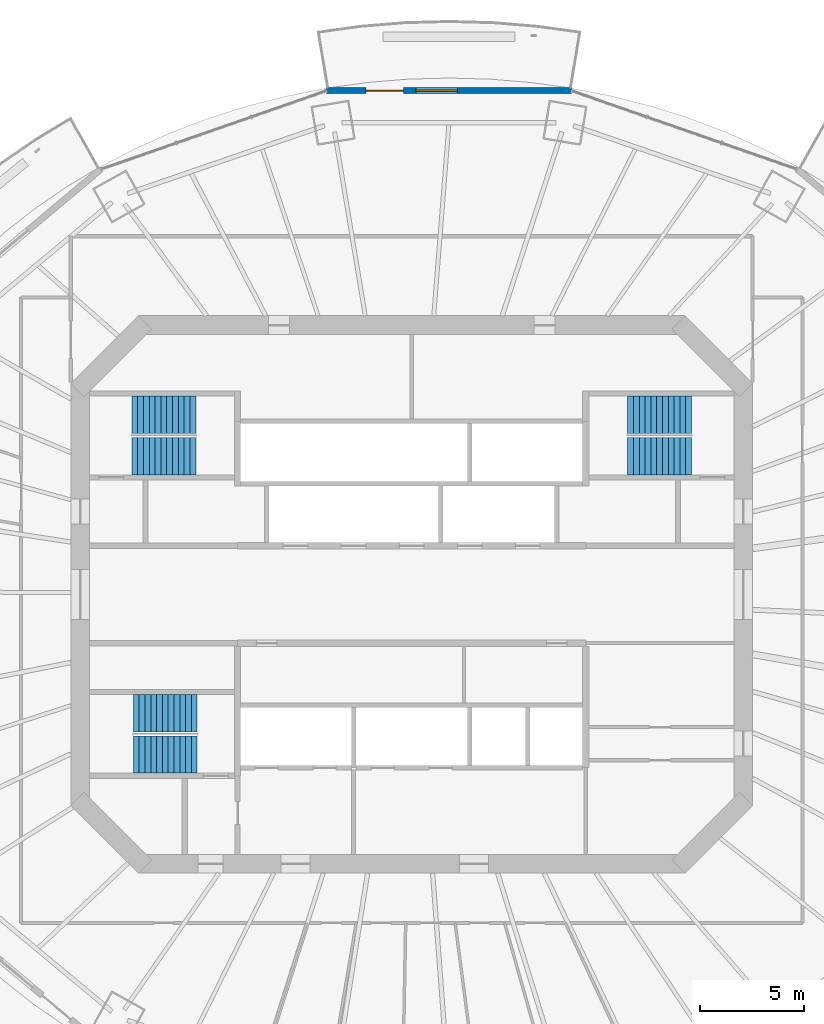
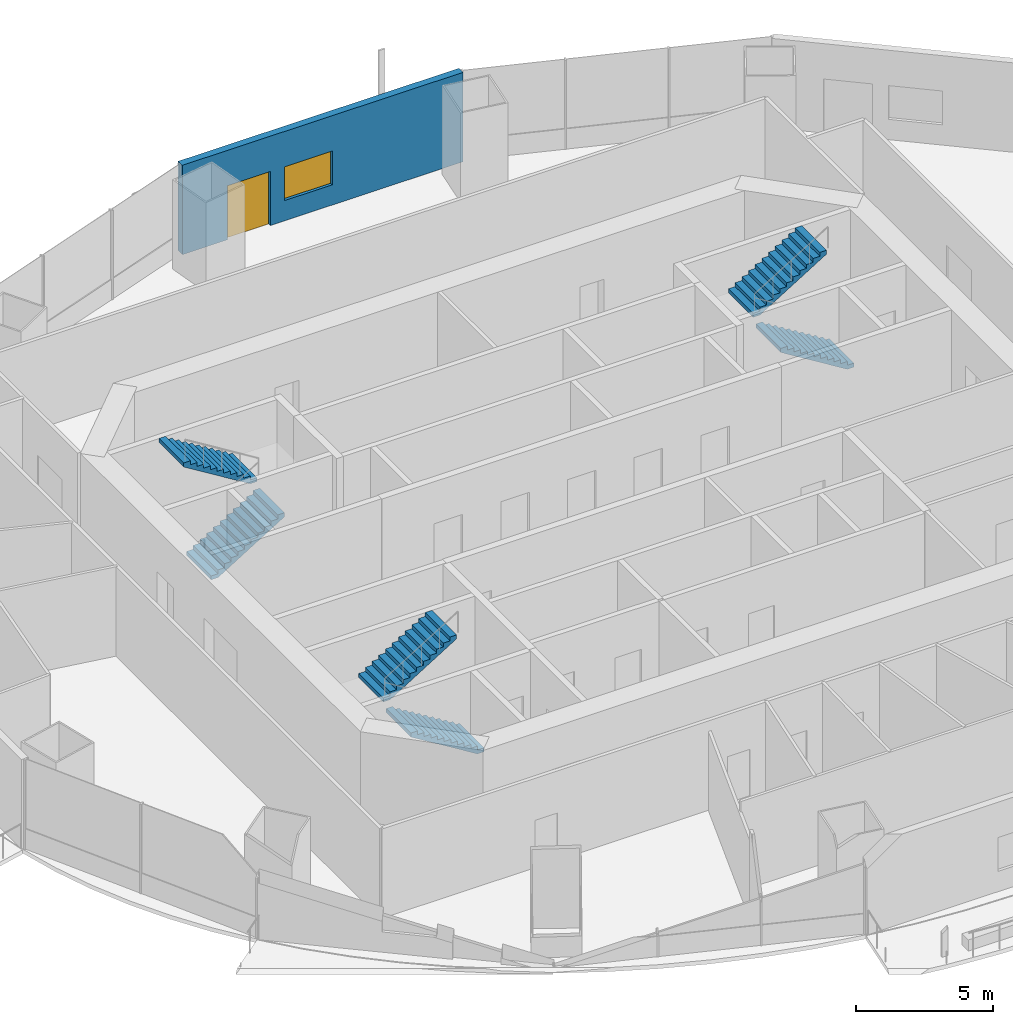
# One storey, part 13 of 19: 6 stair flights, 1 door, 1 wall, 1 window, 2 openings, 3 elements without a shape of their own.
"""IFC4 building model written with IfcOpenShell, lengths in metres."""

import ifcopenshell
import ifcopenshell.guid

model = None  # the IFC model being written
_history = None  # IfcOwnerHistory: only IFC2X3 demands one
_inside = {}  # id of a spatial element -> (the spatial element, [elements in it])
_under = {}  # id of a project, library or spatial element -> (it, [spatial elements below it])
_declared = {}  # id of a project -> (the project, [libraries it declares])
_typed = {}  # id of a type object -> (the type object, [elements of that type])
_made_of = {}  # id of a material, layer set ... -> (it, [elements and type objects made of it])


def new_model(schema):
    """Start an empty IFC model of exactly this schema.

    Asked for "IFC4X3", IfcOpenShell would pick the latest addendum, in which some entities
    have other attributes; the version numbers below select the first issue.
    IFC2X3 requires an IfcOwnerHistory on every rooted entity: one is made here for all.
    """
    global model, _history
    if schema == "IFC4X3":
        model = ifcopenshell.file(schema_version=(4, 3, 0, 0))
    else:
        model = ifcopenshell.file(schema=schema)
    _inside.clear()
    _under.clear()
    _declared.clear()
    _typed.clear()
    _made_of.clear()
    _history = None
    if model.schema == "IFC2X3":
        org = make("IfcOrganization", Name="unknown")
        user = make(
            "IfcPersonAndOrganization",
            ThePerson=make("IfcPerson", FamilyName="unknown"),
            TheOrganization=org,
        )
        app = make(
            "IfcApplication",
            ApplicationDeveloper=org,
            Version="unknown",
            ApplicationFullName="unknown",
            ApplicationIdentifier="unknown",
        )
        _history = make(
            "IfcOwnerHistory",
            OwningUser=user,
            OwningApplication=app,
            ChangeAction="ADDED",
            CreationDate=0,
        )
    return model


def make(cls, **values):
    """One entity of the class cls with the attributes given. An attribute that is None is left unset."""
    return model.create_entity(
        cls, **{name: value for name, value in values.items() if value is not None}
    )


def rooted(cls, **values):
    """An entity with a GlobalId (a new one), such as an element, a storey or a relation."""
    return make(cls, GlobalId=ifcopenshell.guid.new(), OwnerHistory=_history, **values)


def si_unit(unit_type, name, prefix=None):
    """IfcSIUnit, for example si_unit("LENGTHUNIT", "METRE", prefix="MILLI")."""
    return make("IfcSIUnit", UnitType=unit_type, Prefix=prefix, Name=name)


def assignment(units):
    """IfcUnitAssignment: the units of a project."""
    return None if units is None else make("IfcUnitAssignment", Units=units)


def point(xyz):
    """IfcCartesianPoint."""
    return None if xyz is None else make("IfcCartesianPoint", Coordinates=xyz)


def direction(xyz):
    """IfcDirection."""
    return None if xyz is None else make("IfcDirection", DirectionRatios=xyz)


def frame(location, z_axis=None, x_axis=None):
    """IfcAxis2Placement3D, a coordinate frame: its origin and axes. An axis left out is left unset."""
    return make(
        "IfcAxis2Placement3D",
        Location=point(location),
        Axis=direction(z_axis),
        RefDirection=direction(x_axis),
    )


def frame_2d(location, x_axis=None):
    """IfcAxis2Placement2D, a coordinate frame in the plane: its origin and x axis."""
    return make(
        "IfcAxis2Placement2D", Location=point(location), RefDirection=direction(x_axis)
    )


def origin():
    """The frame at (0, 0, 0) with its axes left unset."""
    return frame((0.0, 0.0, 0.0))


def place(relative_to, where):
    """IfcLocalPlacement: puts the frame where relative to a parent placement (None: the world)."""
    return make(
        "IfcLocalPlacement", PlacementRelTo=relative_to, RelativePlacement=where
    )


def context(
    kind, dimensions, precision=None, world=None, true_north=None, identifier=None
):
    """IfcGeometricRepresentationContext, for example the 3D "Model" context."""
    return make(
        "IfcGeometricRepresentationContext",
        ContextIdentifier=identifier,
        ContextType=kind,
        CoordinateSpaceDimension=dimensions,
        Precision=precision,
        WorldCoordinateSystem=world,
        TrueNorth=true_north,
    )


def subcontext(parent, identifier, kind, view, scale=None):
    """IfcGeometricRepresentationSubContext, for example "Body" below "Model"."""
    return make(
        "IfcGeometricRepresentationSubContext",
        ContextIdentifier=identifier,
        ContextType=kind,
        ParentContext=parent,
        TargetScale=scale,
        TargetView=view,
    )


def project(units=None, contexts=None):
    """IfcProject with its units and contexts."""
    return rooted(
        "IfcProject",
        Name="project",
        RepresentationContexts=contexts,
        UnitsInContext=assignment(units),
    )


def spatial(cls, under=None, at=None, **own):
    """A site, building, storey or space (cls), placed at a placement, below another one or the project."""
    s = rooted(cls, ObjectPlacement=at, **own)
    if under is not None:
        _under.setdefault(under.id(), (under, []))[1].append(s)
    return s


def polyline(points):
    """IfcPolyline through the points."""
    return make("IfcPolyline", Points=[point(p) for p in points])


def profile(cls, at=None, kind="AREA", **sizes):
    """A parametric profile (cls). Its sizes go by their IFC names, for example OverallWidth=200.0."""
    return make(cls, ProfileType=kind, Position=at, **sizes)


def rectangle(**sizes):
    """IfcRectangleProfileDef."""
    return profile("IfcRectangleProfileDef", **sizes)


def outline(outer, holes=None, kind="AREA"):
    """IfcArbitraryClosedProfileDef: a profile drawn as a closed curve; with holes, ...WithVoids."""
    if holes is None:
        return make("IfcArbitraryClosedProfileDef", ProfileType=kind, OuterCurve=outer)
    return make(
        "IfcArbitraryProfileDefWithVoids",
        ProfileType=kind,
        OuterCurve=outer,
        InnerCurves=holes,
    )


def extrude(swept, where, along, depth):
    """IfcExtrudedAreaSolid: the profile swept, set in the frame where, extruded along a direction by depth."""
    return make(
        "IfcExtrudedAreaSolid",
        SweptArea=swept,
        Position=where,
        ExtrudedDirection=direction(along),
        Depth=depth,
    )


def shape(context_of_items, identifier, shape_type, items):
    """IfcShapeRepresentation: the items that make up one representation, for example the "Body"."""
    return make(
        "IfcShapeRepresentation",
        ContextOfItems=context_of_items,
        RepresentationIdentifier=identifier,
        RepresentationType=shape_type,
        Items=items,
    )


def material(Name=None, Category=None):
    """IfcMaterial."""
    return make("IfcMaterial", Name=Name, Category=Category)


def layer(
    of_material, thickness, ventilated=None, Name=None, Category=None, Priority=None
):
    """IfcMaterialLayer: one layer of a wall or slab, of a material (None: an air gap)."""
    return make(
        "IfcMaterialLayer",
        Material=of_material,
        LayerThickness=thickness,
        IsVentilated=ventilated,
        Name=Name,
        Category=Category,
        Priority=Priority,
    )


def layer_set(layers, Name=None):
    """IfcMaterialLayerSet."""
    return make("IfcMaterialLayerSet", MaterialLayers=layers, LayerSetName=Name)


def made_of(thing, what):
    """Note that an element or type object is made of a material, layer set ...; save() writes the relation."""
    if what is not None:
        _made_of.setdefault(what.id(), (what, []))[1].append(thing)
    return thing


def type_object(cls, material=None, **own):
    """A type object (cls), such as IfcWallType, which elements share."""
    return made_of(rooted(cls, **own), material)


def element(
    cls,
    number,
    at=None,
    inside=None,
    cuts=None,
    type_object=None,
    material=None,
    context=None,
    identifier="Body",
    shape_type=None,
    held_by="IfcProductDefinitionShape",
    body=None,
    shapes=None,
    **own,
):
    """One element of the class cls, such as IfcWall. Its Tag is "e" and its number.

    at: its placement. inside: the storey or other place that contains it. cuts: it is an
    opening in that element (IfcRelVoidsElement). A single representation is given by context,
    identifier, shape_type and body (its items); several are given by shapes. held_by: the class
    of the entity that holds the representations. save() writes the other relations.
    """
    e = rooted(cls, Tag="e%d" % number, ObjectPlacement=at, **own)
    if body is not None:
        shapes = [shape(context, identifier, shape_type, body)]
    if shapes is not None:
        e.Representation = make(held_by, Representations=shapes)
    if inside is not None:
        _inside.setdefault(inside.id(), (inside, []))[1].append(e)
    if cuts is not None:
        rooted(
            "IfcRelVoidsElement", RelatingBuildingElement=cuts, RelatedOpeningElement=e
        )
    if type_object is not None:
        _typed.setdefault(type_object.id(), (type_object, []))[1].append(e)
    return made_of(e, material)


def fill(opening, filler):
    """IfcRelFillsElement: the door or window that sits in an opening."""
    return rooted(
        "IfcRelFillsElement",
        RelatingOpeningElement=opening,
        RelatedBuildingElement=filler,
    )


def aggregate(whole, parts):
    """IfcRelAggregates: a whole, such as a stair, and the parts it consists of."""
    return rooted("IfcRelAggregates", RelatingObject=whole, RelatedObjects=parts)


def save(model, path):
    """Write the relations noted so far, then the file.

    IfcRelAggregates (storeys below a building ...), IfcRelContainedInSpatialStructure (elements
    in a storey), IfcRelDefinesByType, IfcRelAssociatesMaterial and IfcRelDeclares: one each for
    every whole, place, type object, material and project.
    """
    for whole, parts in _under.values():
        aggregate(whole, parts)
    for where, things in _inside.values():
        rooted(
            "IfcRelContainedInSpatialStructure",
            RelatedElements=things,
            RelatingStructure=where,
        )
    for kind, things in _typed.values():
        rooted("IfcRelDefinesByType", RelatedObjects=things, RelatingType=kind)
    for what, things in _made_of.values():
        rooted("IfcRelAssociatesMaterial", RelatedObjects=things, RelatingMaterial=what)
    for by, libraries in _declared.values():
        rooted("IfcRelDeclares", RelatingContext=by, RelatedDefinitions=libraries)
    model.write(path)


model = new_model("IFC4")

# Units and contexts
model_context = context("Model", 3, precision=1e-05, world=origin(), true_north=direction((0.0, 1.0)))
body_context = subcontext(model_context, "Body", "Model", "MODEL_VIEW")
ifc_project = project(units=[si_unit("LENGTHUNIT", "METRE"), si_unit("AREAUNIT", "SQUARE_METRE"), si_unit("VOLUMEUNIT", "CUBIC_METRE"), si_unit("PLANEANGLEUNIT", "RADIAN"), si_unit("MASSUNIT", "GRAM", prefix="KILO")], contexts=[model_context])

# Site, building, storey
site_placement = place(None, origin())
site = spatial("IfcSite", under=ifc_project, at=site_placement, CompositionType="ELEMENT")
building_placement = place(site_placement, origin())
building = spatial("IfcBuilding", under=site, at=building_placement, Name="Marenthal Gate Tower", CompositionType="ELEMENT")
storey_placement = place(building_placement, frame((0.0, 0.0, 235.75)))
storey = spatial("IfcBuildingStorey", under=building, at=storey_placement, Name="L52", CompositionType="ELEMENT", Elevation=235.75)

# Wall, openings, door, window
ifc_material_1 = material(Name="Terracotta cladding on insulated concrete-block backing", Category="masonry")
ifc_layer = layer(ifc_material_1, 0.300048828125)
ifc_layer_set = layer_set([ifc_layer], Name="Terracotta facade wall 300")
wall_type = type_object("IfcWallType", Name="Terracotta facade wall 300", PredefinedType="SOLIDWALL", material=ifc_layer_set)
wall_placement = place(storey_placement, frame((7.700439453125, 24.31103515625, 0.0), z_axis=(0.0, 0.0, 1.0), x_axis=(-1.0, 0.0, 0.0)))
wall = element("IfcWall", 1, at=wall_placement, inside=storey, type_object=wall_type, Name="Terracotta facade wall L52 bay 4", PredefinedType="SOLIDWALL", context=body_context, shape_type="SweptSolid", body=[
    extrude(rectangle(XDim=11.801025390625, YDim=0.300048828125, at=frame_2d((5.900390625, 0.0))), origin(), (0.0, 0.0, 1.0), 3.969970703125),
])
opening_1_placement = place(wall_placement, frame((8.10107421875, 0.0, 0.0)))
opening_1 = element("IfcOpeningElement", 2, at=opening_1_placement, cuts=wall, Name="Opening BD-L52-04", PredefinedType="OPENING", context=body_context, shape_type="SweptSolid", body=[
    extrude(rectangle(XDim=1.800048828125, YDim=2.39990234375, at=frame_2d((0.89990234375, 1.199951171875))), frame((0.0, 0.16015625, 0.0), z_axis=(0.0, -1.0, 0.0), x_axis=(1.0, 0.0, 0.0)), (0.0, 0.0, 1.0), 0.320068359375),
])
opening_2_placement = place(wall_placement, frame((5.5009765625, 0.0, 0.89990234375)))
opening_2 = element("IfcOpeningElement", 3, at=opening_2_placement, cuts=wall, Name="Opening WN2-L52-04", PredefinedType="OPENING", context=body_context, shape_type="SweptSolid", body=[
    extrude(rectangle(XDim=2.0, YDim=1.5, at=frame_2d((1.0, 0.75))), frame((0.0, 0.16015625, 0.0), z_axis=(0.0, -1.0, 0.0), x_axis=(1.0, 0.0, 0.0)), (0.0, 0.0, 1.0), 0.320068359375),
])
ifc_material_2 = material(Name="Aluminium and glass", Category="aluminium")
door_type = type_object("IfcDoorType", Name="Balcony door 1800x2400", OperationType="DOUBLE_DOOR_SINGLE_SWING", PredefinedType="DOOR", material=ifc_material_2)
door_placement = place(opening_1_placement, origin())
door = element("IfcDoor", 4, at=door_placement, inside=storey, type_object=door_type, Name="Balcony door L52 bay 4", OperationType="SINGLE_SWING_LEFT", OverallHeight=2.39990234375, OverallWidth=1.800048828125, PredefinedType="DOOR", context=body_context, shape_type="SweptSolid", body=[
    extrude(rectangle(XDim=1.800048828125, YDim=2.39990234375, at=frame_2d((0.89990234375, 1.199951171875))), frame((0.0, 0.02490234375, 0.0), z_axis=(0.0, -1.0, 0.0), x_axis=(1.0, 0.0, 0.0)), (0.0, 0.0, 1.0), 0.050048828125),
])
fill(opening_1, door)
ifc_material_3 = material(Name="Aluminium and glass", Category="aluminium")
window_type = type_object("IfcWindowType", Name="Window 2000x1500", PartitioningType="DOUBLE_PANEL_VERTICAL", PredefinedType="WINDOW", material=ifc_material_3)
window_placement = place(opening_2_placement, origin())
window = element("IfcWindow", 5, at=window_placement, inside=storey, type_object=window_type, Name="Window L52 bay 4", OverallHeight=1.5, OverallWidth=2.0, PartitioningType="SINGLE_PANEL", PredefinedType="WINDOW", context=body_context, shape_type="SweptSolid", body=[
    extrude(rectangle(XDim=2.0, YDim=1.5, at=frame_2d((1.0, 0.75))), frame((0.0, 0.030029296875, 0.0), z_axis=(0.0, -1.0, 0.0), x_axis=(1.0, 0.0, 0.0)), (0.0, 0.0, 1.0), 0.06005859375),
])
fill(opening_2, window)

# Stair, stair flights
ifc_material_4 = material(Name="Concrete 40 MPa", Category="concrete")
stair_type = type_object("IfcStairType", Name="Exit stair 1800", PredefinedType="HALF_TURN_STAIR", material=ifc_material_4)
stair_1_placement = place(storey_placement, origin())
stair_1 = element("IfcStair", 6, at=stair_1_placement, inside=storey, type_object=stair_type, Name="Stair ST1", PredefinedType="HALF_TURN_STAIR")
ifc_material_5 = material(Name="Concrete 40 MPa", Category="concrete")
stair_flight_type = type_object("IfcStairFlightType", Name="Stair flight 1800", PredefinedType="STRAIGHT", material=ifc_material_5)
stair_flight_1_placement = place(storey_placement, frame((-13.5, 6.675048828125, 0.0), z_axis=(0.0, 0.0, 1.0), x_axis=(1.0, 0.0, 0.0)))
stair_flight_1 = element("IfcStairFlight", 7, at=stair_flight_1_placement, type_object=stair_flight_type, Name="ST1 flight 1", NumberOfRisers=12, NumberOfTreads=11, PredefinedType="STRAIGHT", RiserHeight=0.172916667, TreadLength=0.28, context=body_context, shape_type="SweptSolid", body=[
    extrude(outline(polyline([(0.0, 0.0), (0.0, 0.1728515625), (0.280029296875, 0.1728515625), (0.280029296875, 0.345947265625), (0.56005859375, 0.345947265625), (0.56005859375, 0.518798828125), (0.840087890625, 0.518798828125), (0.840087890625, 0.691650390625), (1.1201171875, 0.691650390625), (1.1201171875, 0.864501953125), (1.39990234375, 0.864501953125), (1.39990234375, 1.03759765625), (1.679931640625, 1.03759765625), (1.679931640625, 1.21044921875), (1.9599609375, 1.21044921875), (1.9599609375, 1.38330078125), (2.239990234375, 1.38330078125), (2.239990234375, 1.55615234375), (2.52001953125, 1.55615234375), (2.52001953125, 1.729248046875), (2.800048828125, 1.729248046875), (2.800048828125, 1.902099609375), (3.080078125, 1.902099609375), (3.080078125, 2.074951171875), (3.080078125, 1.725830078125), (0.285400390625, 0.0), (0.0, 0.0)])), frame((0.0, 0.89990234375, 0.0), z_axis=(0.0, -1.0, 0.0), x_axis=(1.0, 0.0, 0.0)), (0.0, 0.0, 1.0), 1.800048828125),
])
stair_flight_2_placement = place(storey_placement, frame((-10.419921875, 8.675048828125, 2.074951171875), z_axis=(0.0, 0.0, 1.0), x_axis=(-1.0, 0.0, 0.0)))
stair_flight_2 = element("IfcStairFlight", 8, at=stair_flight_2_placement, type_object=stair_flight_type, Name="ST1 flight 2", NumberOfRisers=12, NumberOfTreads=11, PredefinedType="STRAIGHT", RiserHeight=0.172916667, TreadLength=0.28, context=body_context, shape_type="SweptSolid", body=[
    extrude(outline(polyline([(0.0, 0.0), (0.0, 0.1728515625), (0.280029296875, 0.1728515625), (0.280029296875, 0.345947265625), (0.56005859375, 0.345947265625), (0.56005859375, 0.518798828125), (0.840087890625, 0.518798828125), (0.840087890625, 0.691650390625), (1.1201171875, 0.691650390625), (1.1201171875, 0.864501953125), (1.39990234375, 0.864501953125), (1.39990234375, 1.03759765625), (1.679931640625, 1.03759765625), (1.679931640625, 1.21044921875), (1.9599609375, 1.21044921875), (1.9599609375, 1.38330078125), (2.239990234375, 1.38330078125), (2.239990234375, 1.55615234375), (2.52001953125, 1.55615234375), (2.52001953125, 1.729248046875), (2.800048828125, 1.729248046875), (2.800048828125, 1.902099609375), (3.080078125, 1.902099609375), (3.080078125, 2.074951171875), (3.080078125, 1.725830078125), (0.285400390625, 0.0), (0.0, 0.0)])), frame((0.0, 0.89990234375, 0.0), z_axis=(0.0, -1.0, 0.0), x_axis=(1.0, 0.0, 0.0)), (0.0, 0.0, 1.0), 1.800048828125),
])
aggregate(stair_1, [stair_flight_1, stair_flight_2])

stair_2_placement = place(storey_placement, origin())
stair_2 = element("IfcStair", 9, at=stair_2_placement, inside=storey, type_object=stair_type, Name="Stair ST2", PredefinedType="HALF_TURN_STAIR")
stair_flight_3_placement = place(storey_placement, frame((-10.35009765625, -7.72509765625, 0.0), z_axis=(0.0, 0.0, 1.0), x_axis=(-1.0, 0.0, 0.0)))
stair_flight_3 = element("IfcStairFlight", 10, at=stair_flight_3_placement, type_object=stair_flight_type, Name="ST2 flight 1", NumberOfRisers=12, NumberOfTreads=11, PredefinedType="STRAIGHT", RiserHeight=0.172916667, TreadLength=0.28, context=body_context, shape_type="SweptSolid", body=[
    extrude(outline(polyline([(0.0, 0.0), (0.0, 0.1728515625), (0.280029296875, 0.1728515625), (0.280029296875, 0.345947265625), (0.56005859375, 0.345947265625), (0.56005859375, 0.518798828125), (0.840087890625, 0.518798828125), (0.840087890625, 0.691650390625), (1.1201171875, 0.691650390625), (1.1201171875, 0.864501953125), (1.39990234375, 0.864501953125), (1.39990234375, 1.03759765625), (1.679931640625, 1.03759765625), (1.679931640625, 1.21044921875), (1.9599609375, 1.21044921875), (1.9599609375, 1.38330078125), (2.239990234375, 1.38330078125), (2.239990234375, 1.55615234375), (2.52001953125, 1.55615234375), (2.52001953125, 1.729248046875), (2.800048828125, 1.729248046875), (2.800048828125, 1.902099609375), (3.080078125, 1.902099609375), (3.080078125, 2.074951171875), (3.080078125, 1.725830078125), (0.285400390625, 0.0), (0.0, 0.0)])), frame((0.0, 0.89990234375, 0.0), z_axis=(0.0, -1.0, 0.0), x_axis=(1.0, 0.0, 0.0)), (0.0, 0.0, 1.0), 1.800048828125),
])
stair_flight_4_placement = place(storey_placement, frame((-13.429931640625, -5.72509765625, 2.074951171875), z_axis=(0.0, 0.0, 1.0), x_axis=(1.0, 0.0, 0.0)))
stair_flight_4 = element("IfcStairFlight", 11, at=stair_flight_4_placement, type_object=stair_flight_type, Name="ST2 flight 2", NumberOfRisers=12, NumberOfTreads=11, PredefinedType="STRAIGHT", RiserHeight=0.172916667, TreadLength=0.28, context=body_context, shape_type="SweptSolid", body=[
    extrude(outline(polyline([(0.0, 0.0), (0.0, 0.1728515625), (0.280029296875, 0.1728515625), (0.280029296875, 0.345947265625), (0.56005859375, 0.345947265625), (0.56005859375, 0.518798828125), (0.840087890625, 0.518798828125), (0.840087890625, 0.691650390625), (1.1201171875, 0.691650390625), (1.1201171875, 0.864501953125), (1.39990234375, 0.864501953125), (1.39990234375, 1.03759765625), (1.679931640625, 1.03759765625), (1.679931640625, 1.21044921875), (1.9599609375, 1.21044921875), (1.9599609375, 1.38330078125), (2.239990234375, 1.38330078125), (2.239990234375, 1.55615234375), (2.52001953125, 1.55615234375), (2.52001953125, 1.729248046875), (2.800048828125, 1.729248046875), (2.800048828125, 1.902099609375), (3.080078125, 1.902099609375), (3.080078125, 2.074951171875), (3.080078125, 1.725830078125), (0.285400390625, 0.0), (0.0, 0.0)])), frame((0.0, 0.89990234375, 0.0), z_axis=(0.0, -1.0, 0.0), x_axis=(1.0, 0.0, 0.0)), (0.0, 0.0, 1.0), 1.800048828125),
])
aggregate(stair_2, [stair_flight_3, stair_flight_4])

stair_3_placement = place(storey_placement, origin())
stair_3 = element("IfcStair", 12, at=stair_3_placement, inside=storey, type_object=stair_type, Name="Stair ST3", PredefinedType="HALF_TURN_STAIR")
stair_flight_5_placement = place(storey_placement, frame((13.5, 6.675048828125, 0.0), z_axis=(0.0, 0.0, 1.0), x_axis=(-1.0, 0.0, 0.0)))
stair_flight_5 = element("IfcStairFlight", 13, at=stair_flight_5_placement, type_object=stair_flight_type, Name="ST3 flight 1", NumberOfRisers=12, NumberOfTreads=11, PredefinedType="STRAIGHT", RiserHeight=0.172916667, TreadLength=0.28, context=body_context, shape_type="SweptSolid", body=[
    extrude(outline(polyline([(0.0, 0.0), (0.0, 0.1728515625), (0.280029296875, 0.1728515625), (0.280029296875, 0.345947265625), (0.56005859375, 0.345947265625), (0.56005859375, 0.518798828125), (0.840087890625, 0.518798828125), (0.840087890625, 0.691650390625), (1.1201171875, 0.691650390625), (1.1201171875, 0.864501953125), (1.39990234375, 0.864501953125), (1.39990234375, 1.03759765625), (1.679931640625, 1.03759765625), (1.679931640625, 1.21044921875), (1.9599609375, 1.21044921875), (1.9599609375, 1.38330078125), (2.239990234375, 1.38330078125), (2.239990234375, 1.55615234375), (2.52001953125, 1.55615234375), (2.52001953125, 1.729248046875), (2.800048828125, 1.729248046875), (2.800048828125, 1.902099609375), (3.080078125, 1.902099609375), (3.080078125, 2.074951171875), (3.080078125, 1.725830078125), (0.285400390625, 0.0), (0.0, 0.0)])), frame((0.0, 0.89990234375, 0.0), z_axis=(0.0, -1.0, 0.0), x_axis=(1.0, 0.0, 0.0)), (0.0, 0.0, 1.0), 1.800048828125),
])
stair_flight_6_placement = place(storey_placement, frame((10.419921875, 8.675048828125, 2.074951171875), z_axis=(0.0, 0.0, 1.0), x_axis=(1.0, 0.0, 0.0)))
stair_flight_6 = element("IfcStairFlight", 14, at=stair_flight_6_placement, type_object=stair_flight_type, Name="ST3 flight 2", NumberOfRisers=12, NumberOfTreads=11, PredefinedType="STRAIGHT", RiserHeight=0.172916667, TreadLength=0.28, context=body_context, shape_type="SweptSolid", body=[
    extrude(outline(polyline([(0.0, 0.0), (0.0, 0.1728515625), (0.280029296875, 0.1728515625), (0.280029296875, 0.345947265625), (0.56005859375, 0.345947265625), (0.56005859375, 0.518798828125), (0.840087890625, 0.518798828125), (0.840087890625, 0.691650390625), (1.1201171875, 0.691650390625), (1.1201171875, 0.864501953125), (1.39990234375, 0.864501953125), (1.39990234375, 1.03759765625), (1.679931640625, 1.03759765625), (1.679931640625, 1.21044921875), (1.9599609375, 1.21044921875), (1.9599609375, 1.38330078125), (2.239990234375, 1.38330078125), (2.239990234375, 1.55615234375), (2.52001953125, 1.55615234375), (2.52001953125, 1.729248046875), (2.800048828125, 1.729248046875), (2.800048828125, 1.902099609375), (3.080078125, 1.902099609375), (3.080078125, 2.074951171875), (3.080078125, 1.725830078125), (0.285400390625, 0.0), (0.0, 0.0)])), frame((0.0, 0.89990234375, 0.0), z_axis=(0.0, -1.0, 0.0), x_axis=(1.0, 0.0, 0.0)), (0.0, 0.0, 1.0), 1.800048828125),
])
aggregate(stair_3, [stair_flight_5, stair_flight_6])

save(model, "model.ifc")
